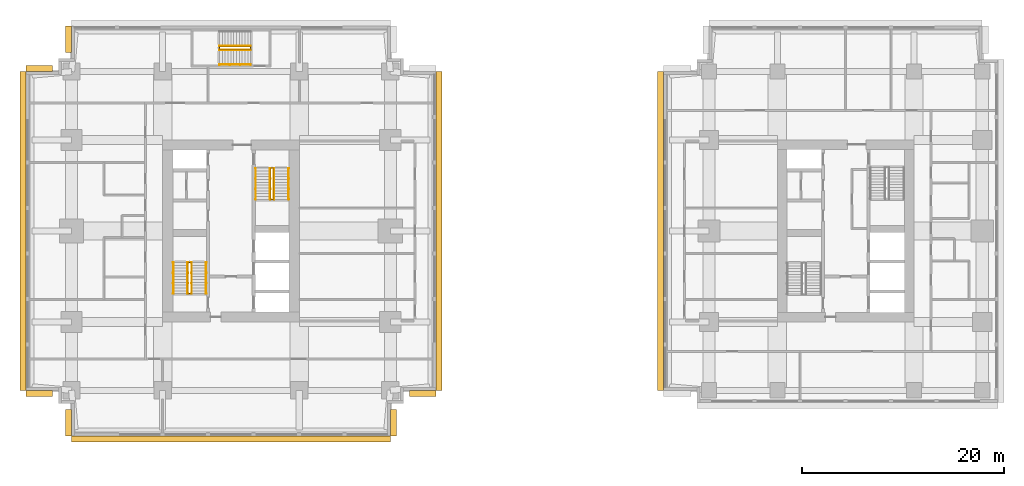
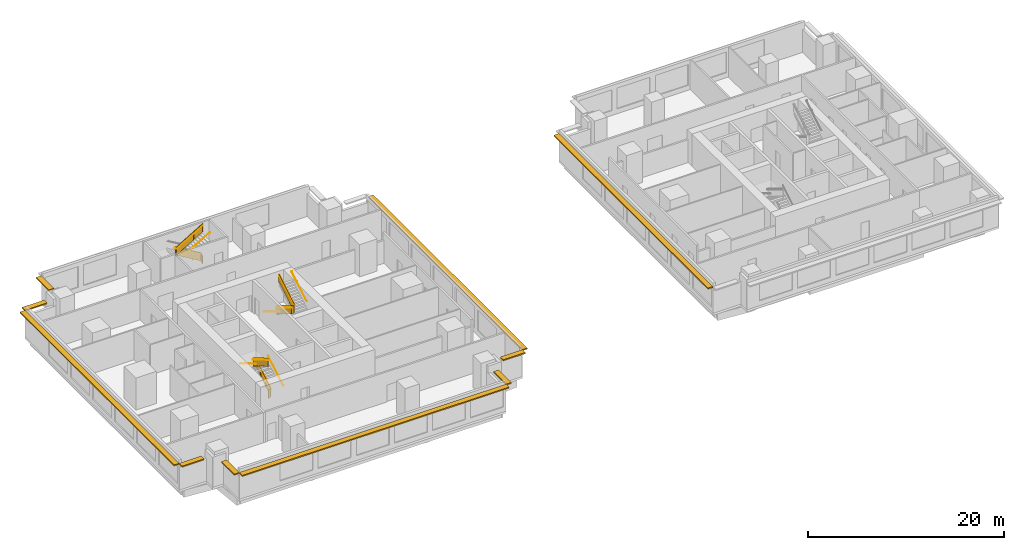
# One storey, part 9 of 10: 14 railings, 10 shading devices.
"""IFC4 building model written with IfcOpenShell, lengths in metres."""

from ifc_helpers import new_model, si_unit, direction, frame, origin, origin_2d, place, context, subcontext, project, spatial, polyline, rectangle, circle, outline, extrude, material, layer, layer_set, type_object, element, save


model = new_model("IFC4")

# Units and contexts
model_context = context("Model", 3, precision=1e-05, world=origin(), true_north=direction((0.0, 1.0)))
body_context = subcontext(model_context, "Body", "Model", "MODEL_VIEW")
ifc_project = project(units=[si_unit("LENGTHUNIT", "METRE"), si_unit("AREAUNIT", "SQUARE_METRE"), si_unit("VOLUMEUNIT", "CUBIC_METRE"), si_unit("PLANEANGLEUNIT", "RADIAN"), si_unit("MASSUNIT", "GRAM", prefix="KILO")], contexts=[model_context])

# Site, building, storey
site_placement = place(None, origin())
site = spatial("IfcSite", under=ifc_project, at=site_placement, CompositionType="ELEMENT")
building_placement = place(site_placement, origin())
building = spatial("IfcBuilding", under=site, at=building_placement, Name="Namib Vertical Campus", CompositionType="ELEMENT")
storey_placement = place(building_placement, frame((0.0, 0.0, 157.0)))
storey = spatial("IfcBuildingStorey", under=building, at=storey_placement, Name="L37", CompositionType="ELEMENT", Elevation=157.0)

# Railings
ifc_material_1 = material(Name="Steel handrail", Category="steel")
railing_type_1 = type_object("IfcRailingType", Name="Handrail 900", PredefinedType="HANDRAIL", material=ifc_material_1)
railing_1_placement = place(storey_placement, frame((17.800048828125, 14.050048828125, 0.166748046875)))
element("IfcRailing", 1, at=railing_1_placement, inside=storey, type_object=railing_type_1, Name="Handrail HR1 A-S1 L37 1", PredefinedType="HANDRAIL", context=body_context, shape_type="SweptSolid", body=[
    extrude(circle(Radius=0.02392578125, at=origin_2d()), frame((0.0, 0.0, 0.8759765625), z_axis=(0.0, 0.859290745958, 0.51148745235), x_axis=(-1.0, 0.0, 0.0)), (0.0, 0.0, 1.0), 3.584228515625),
    extrude(circle(Radius=0.008056640625, at=origin_2d()), frame((0.0, 0.0, 0.8759765625), z_axis=(1.0, 0.0, 0.0), x_axis=(0.0, 0.0, 1.0)), (0.0, 0.0, 1.0), 0.050048828125),
    extrude(circle(Radius=0.008056640625, at=origin_2d()), frame((0.0, 1.026611328125, 1.48681640625), z_axis=(1.0, 0.0, 0.0), x_axis=(0.0, 0.0, 1.0)), (0.0, 0.0, 1.0), 0.050048828125),
    extrude(circle(Radius=0.008056640625, at=origin_2d()), frame((0.0, 2.05322265625, 2.09814453125), z_axis=(1.0, 0.0, 0.0), x_axis=(0.0, 0.0, 1.0)), (0.0, 0.0, 1.0), 0.050048828125),
    extrude(circle(Radius=0.008056640625, at=origin_2d()), frame((0.0, 3.079833984375, 2.708984375), z_axis=(1.0, 0.0, 0.0), x_axis=(0.0, 0.0, 1.0)), (0.0, 0.0, 1.0), 0.050048828125),
])
railing_2_placement = place(storey_placement, frame((14.550048828125, 17.1298828125, 2.166748046875)))
element("IfcRailing", 2, at=railing_2_placement, inside=storey, type_object=railing_type_1, Name="Handrail HR1 A-S1 L37 2", PredefinedType="HANDRAIL", context=body_context, shape_type="SweptSolid", body=[
    extrude(circle(Radius=0.02392578125, at=origin_2d()), frame((0.0, 0.0, 0.8759765625), z_axis=(0.0, -0.859290745958, 0.51148745235), x_axis=(1.0, 0.0, 0.0)), (0.0, 0.0, 1.0), 3.584228515625),
    extrude(circle(Radius=0.008056640625, at=origin_2d()), frame((0.0, 0.0, 0.8759765625), z_axis=(-1.0, 0.0, 0.0), x_axis=(0.0, 0.0, 1.0)), (0.0, 0.0, 1.0), 0.050048828125),
    extrude(circle(Radius=0.008056640625, at=origin_2d()), frame((0.0, -1.026611328125, 1.48681640625), z_axis=(-1.0, 0.0, 0.0), x_axis=(0.0, 0.0, 1.0)), (0.0, 0.0, 1.0), 0.050048828125),
    extrude(circle(Radius=0.008056640625, at=origin_2d()), frame((0.0, -2.05322265625, 2.09814453125), z_axis=(-1.0, 0.0, 0.0), x_axis=(0.0, 0.0, 1.0)), (0.0, 0.0, 1.0), 0.050048828125),
    extrude(circle(Radius=0.008056640625, at=origin_2d()), frame((0.0, -3.079833984375, 2.708984375), z_axis=(-1.0, 0.0, 0.0), x_axis=(0.0, 0.0, 1.0)), (0.0, 0.0, 1.0), 0.050048828125),
])
railing_3_placement = place(storey_placement, frame((16.375, 14.050048828125, 0.166748046875)))
element("IfcRailing", 3, at=railing_3_placement, inside=storey, type_object=railing_type_1, Name="Handrail HR1 A-S1 L37 1 at the well", PredefinedType="HANDRAIL", context=body_context, shape_type="SweptSolid", body=[
    extrude(circle(Radius=0.02392578125, at=origin_2d()), frame((0.0, 0.0, 0.8759765625), z_axis=(0.0, 0.859290745958, 0.51148745235), x_axis=(-1.0, 0.0, 0.0)), (0.0, 0.0, 1.0), 3.584228515625),
    extrude(circle(Radius=0.008056640625, at=origin_2d()), frame((0.0, 0.0, 0.8759765625), z_axis=(-1.0, 0.0, 0.0), x_axis=(0.0, 0.0, 1.0)), (0.0, 0.0, 1.0), 0.0400390625),
    extrude(circle(Radius=0.008056640625, at=origin_2d()), frame((0.0, 1.026611328125, 1.48681640625), z_axis=(-1.0, 0.0, 0.0), x_axis=(0.0, 0.0, 1.0)), (0.0, 0.0, 1.0), 0.0400390625),
    extrude(circle(Radius=0.008056640625, at=origin_2d()), frame((0.0, 2.05322265625, 2.09814453125), z_axis=(-1.0, 0.0, 0.0), x_axis=(0.0, 0.0, 1.0)), (0.0, 0.0, 1.0), 0.0400390625),
    extrude(circle(Radius=0.008056640625, at=origin_2d()), frame((0.0, 3.079833984375, 2.708984375), z_axis=(-1.0, 0.0, 0.0), x_axis=(0.0, 0.0, 1.0)), (0.0, 0.0, 1.0), 0.0400390625),
])
railing_4_placement = place(storey_placement, frame((15.97509765625, 17.1298828125, 2.166748046875)))
element("IfcRailing", 4, at=railing_4_placement, inside=storey, type_object=railing_type_1, Name="Handrail HR1 A-S1 L37 2 at the well", PredefinedType="HANDRAIL", context=body_context, shape_type="SweptSolid", body=[
    extrude(circle(Radius=0.02392578125, at=origin_2d()), frame((0.0, 0.0, 0.8759765625), z_axis=(0.0, -0.859290745958, 0.51148745235), x_axis=(1.0, 0.0, 0.0)), (0.0, 0.0, 1.0), 3.584228515625),
    extrude(circle(Radius=0.008056640625, at=origin_2d()), frame((0.0, 0.0, 0.8759765625), z_axis=(1.0, 0.0, 0.0), x_axis=(0.0, 0.0, 1.0)), (0.0, 0.0, 1.0), 0.0400390625),
    extrude(circle(Radius=0.008056640625, at=origin_2d()), frame((0.0, -1.026611328125, 1.48681640625), z_axis=(1.0, 0.0, 0.0), x_axis=(0.0, 0.0, 1.0)), (0.0, 0.0, 1.0), 0.0400390625),
    extrude(circle(Radius=0.008056640625, at=origin_2d()), frame((0.0, -2.05322265625, 2.09814453125), z_axis=(1.0, 0.0, 0.0), x_axis=(0.0, 0.0, 1.0)), (0.0, 0.0, 1.0), 0.0400390625),
    extrude(circle(Radius=0.008056640625, at=origin_2d()), frame((0.0, -3.079833984375, 2.708984375), z_axis=(1.0, 0.0, 0.0), x_axis=(0.0, 0.0, 1.0)), (0.0, 0.0, 1.0), 0.0400390625),
])
railing_5_placement = place(storey_placement, frame((22.699951171875, 26.449951171875, 0.166748046875)))
element("IfcRailing", 5, at=railing_5_placement, inside=storey, type_object=railing_type_1, Name="Handrail HR1 A-S2 L37 1", PredefinedType="HANDRAIL", context=body_context, shape_type="SweptSolid", body=[
    extrude(circle(Radius=0.02392578125, at=origin_2d()), frame((0.0, 0.0, 0.8759765625), z_axis=(0.0, -0.859290745958, 0.51148745235), x_axis=(1.0, 0.0, 0.0)), (0.0, 0.0, 1.0), 3.584228515625),
    extrude(circle(Radius=0.008056640625, at=origin_2d()), frame((0.0, 0.0, 0.8759765625), z_axis=(-1.0, 0.0, 0.0), x_axis=(0.0, 0.0, 1.0)), (0.0, 0.0, 1.0), 0.050048828125),
    extrude(circle(Radius=0.008056640625, at=origin_2d()), frame((0.0, -1.026611328125, 1.48681640625), z_axis=(-1.0, 0.0, 0.0), x_axis=(0.0, 0.0, 1.0)), (0.0, 0.0, 1.0), 0.050048828125),
    extrude(circle(Radius=0.008056640625, at=origin_2d()), frame((0.0, -2.05322265625, 2.09814453125), z_axis=(-1.0, 0.0, 0.0), x_axis=(0.0, 0.0, 1.0)), (0.0, 0.0, 1.0), 0.050048828125),
    extrude(circle(Radius=0.008056640625, at=origin_2d()), frame((0.0, -3.079833984375, 2.708984375), z_axis=(-1.0, 0.0, 0.0), x_axis=(0.0, 0.0, 1.0)), (0.0, 0.0, 1.0), 0.050048828125),
])
railing_6_placement = place(storey_placement, frame((25.949951171875, 23.3701171875, 2.166748046875)))
element("IfcRailing", 6, at=railing_6_placement, inside=storey, type_object=railing_type_1, Name="Handrail HR1 A-S2 L37 2", PredefinedType="HANDRAIL", context=body_context, shape_type="SweptSolid", body=[
    extrude(circle(Radius=0.02392578125, at=origin_2d()), frame((0.0, 0.0, 0.8759765625), z_axis=(0.0, 0.859290745958, 0.51148745235), x_axis=(-1.0, 0.0, 0.0)), (0.0, 0.0, 1.0), 3.584228515625),
    extrude(circle(Radius=0.008056640625, at=origin_2d()), frame((0.0, 0.0, 0.8759765625), z_axis=(1.0, 0.0, 0.0), x_axis=(0.0, 0.0, 1.0)), (0.0, 0.0, 1.0), 0.050048828125),
    extrude(circle(Radius=0.008056640625, at=origin_2d()), frame((0.0, 1.026611328125, 1.48681640625), z_axis=(1.0, 0.0, 0.0), x_axis=(0.0, 0.0, 1.0)), (0.0, 0.0, 1.0), 0.050048828125),
    extrude(circle(Radius=0.008056640625, at=origin_2d()), frame((0.0, 2.05322265625, 2.09814453125), z_axis=(1.0, 0.0, 0.0), x_axis=(0.0, 0.0, 1.0)), (0.0, 0.0, 1.0), 0.050048828125),
    extrude(circle(Radius=0.008056640625, at=origin_2d()), frame((0.0, 3.079833984375, 2.708984375), z_axis=(1.0, 0.0, 0.0), x_axis=(0.0, 0.0, 1.0)), (0.0, 0.0, 1.0), 0.050048828125),
])
railing_7_placement = place(storey_placement, frame((24.125, 26.449951171875, 0.166748046875)))
element("IfcRailing", 7, at=railing_7_placement, inside=storey, type_object=railing_type_1, Name="Handrail HR1 A-S2 L37 1 at the well", PredefinedType="HANDRAIL", context=body_context, shape_type="SweptSolid", body=[
    extrude(circle(Radius=0.02392578125, at=origin_2d()), frame((0.0, 0.0, 0.8759765625), z_axis=(0.0, -0.859290745958, 0.51148745235), x_axis=(1.0, 0.0, 0.0)), (0.0, 0.0, 1.0), 3.584228515625),
    extrude(circle(Radius=0.008056640625, at=origin_2d()), frame((0.0, 0.0, 0.8759765625), z_axis=(1.0, 0.0, 0.0), x_axis=(0.0, 0.0, 1.0)), (0.0, 0.0, 1.0), 0.0400390625),
    extrude(circle(Radius=0.008056640625, at=origin_2d()), frame((0.0, -1.026611328125, 1.48681640625), z_axis=(1.0, 0.0, 0.0), x_axis=(0.0, 0.0, 1.0)), (0.0, 0.0, 1.0), 0.0400390625),
    extrude(circle(Radius=0.008056640625, at=origin_2d()), frame((0.0, -2.05322265625, 2.09814453125), z_axis=(1.0, 0.0, 0.0), x_axis=(0.0, 0.0, 1.0)), (0.0, 0.0, 1.0), 0.0400390625),
    extrude(circle(Radius=0.008056640625, at=origin_2d()), frame((0.0, -3.079833984375, 2.708984375), z_axis=(1.0, 0.0, 0.0), x_axis=(0.0, 0.0, 1.0)), (0.0, 0.0, 1.0), 0.0400390625),
])
railing_8_placement = place(storey_placement, frame((24.52490234375, 23.3701171875, 2.166748046875)))
element("IfcRailing", 8, at=railing_8_placement, inside=storey, type_object=railing_type_1, Name="Handrail HR1 A-S2 L37 2 at the well", PredefinedType="HANDRAIL", context=body_context, shape_type="SweptSolid", body=[
    extrude(circle(Radius=0.02392578125, at=origin_2d()), frame((0.0, 0.0, 0.8759765625), z_axis=(0.0, 0.859290745958, 0.51148745235), x_axis=(-1.0, 0.0, 0.0)), (0.0, 0.0, 1.0), 3.584228515625),
    extrude(circle(Radius=0.008056640625, at=origin_2d()), frame((0.0, 0.0, 0.8759765625), z_axis=(-1.0, 0.0, 0.0), x_axis=(0.0, 0.0, 1.0)), (0.0, 0.0, 1.0), 0.0400390625),
    extrude(circle(Radius=0.008056640625, at=origin_2d()), frame((0.0, 1.026611328125, 1.48681640625), z_axis=(-1.0, 0.0, 0.0), x_axis=(0.0, 0.0, 1.0)), (0.0, 0.0, 1.0), 0.0400390625),
    extrude(circle(Radius=0.008056640625, at=origin_2d()), frame((0.0, 2.05322265625, 2.09814453125), z_axis=(-1.0, 0.0, 0.0), x_axis=(0.0, 0.0, 1.0)), (0.0, 0.0, 1.0), 0.0400390625),
    extrude(circle(Radius=0.008056640625, at=origin_2d()), frame((0.0, 3.079833984375, 2.708984375), z_axis=(-1.0, 0.0, 0.0), x_axis=(0.0, 0.0, 1.0)), (0.0, 0.0, 1.0), 0.0400390625),
])
railing_9_placement = place(storey_placement, frame((19.1201171875, 36.699951171875, 2.166748046875)))
element("IfcRailing", 9, at=railing_9_placement, inside=storey, type_object=railing_type_1, Name="Handrail HR1 A-S3 L37 2", PredefinedType="HANDRAIL", context=body_context, shape_type="SweptSolid", body=[
    extrude(circle(Radius=0.02392578125, at=origin_2d()), frame((0.0, 0.0, 0.8759765625), z_axis=(0.859290745958, 0.0, 0.51148745235), x_axis=(0.0, 1.0, 0.0)), (0.0, 0.0, 1.0), 3.584228515625),
    extrude(circle(Radius=0.008056640625, at=origin_2d()), frame((0.0, 0.0, 0.8759765625), z_axis=(0.0, -1.0, 0.0), x_axis=(0.0, 0.0, 1.0)), (0.0, 0.0, 1.0), 0.050048828125),
    extrude(circle(Radius=0.008056640625, at=origin_2d()), frame((1.026611328125, 0.0, 1.48681640625), z_axis=(0.0, -1.0, 0.0), x_axis=(0.0, 0.0, 1.0)), (0.0, 0.0, 1.0), 0.050048828125),
    extrude(circle(Radius=0.008056640625, at=origin_2d()), frame((2.05322265625, 0.0, 2.09814453125), z_axis=(0.0, -1.0, 0.0), x_axis=(0.0, 0.0, 1.0)), (0.0, 0.0, 1.0), 0.050048828125),
    extrude(circle(Radius=0.008056640625, at=origin_2d()), frame((3.079833984375, 0.0, 2.708984375), z_axis=(0.0, -1.0, 0.0), x_axis=(0.0, 0.0, 1.0)), (0.0, 0.0, 1.0), 0.050048828125),
])
railing_10_placement = place(storey_placement, frame((22.199951171875, 38.52490234375, 0.166748046875)))
element("IfcRailing", 10, at=railing_10_placement, inside=storey, type_object=railing_type_1, Name="Handrail HR1 A-S3 L37 1 at the well", PredefinedType="HANDRAIL", context=body_context, shape_type="SweptSolid", body=[
    extrude(circle(Radius=0.02392578125, at=origin_2d()), frame((0.0, 0.0, 0.8759765625), z_axis=(-0.859290745958, 0.0, 0.51148745235), x_axis=(0.0, -1.0, 0.0)), (0.0, 0.0, 1.0), 3.584228515625),
    extrude(circle(Radius=0.008056640625, at=origin_2d()), frame((0.0, 0.0, 0.8759765625), z_axis=(0.0, -1.0, 0.0), x_axis=(0.0, 0.0, 1.0)), (0.0, 0.0, 1.0), 0.0400390625),
    extrude(circle(Radius=0.008056640625, at=origin_2d()), frame((-1.026611328125, 0.0, 1.48681640625), z_axis=(0.0, -1.0, 0.0), x_axis=(0.0, 0.0, 1.0)), (0.0, 0.0, 1.0), 0.0400390625),
    extrude(circle(Radius=0.008056640625, at=origin_2d()), frame((-2.05322265625, 0.0, 2.09814453125), z_axis=(0.0, -1.0, 0.0), x_axis=(0.0, 0.0, 1.0)), (0.0, 0.0, 1.0), 0.0400390625),
    extrude(circle(Radius=0.008056640625, at=origin_2d()), frame((-3.079833984375, 0.0, 2.708984375), z_axis=(0.0, -1.0, 0.0), x_axis=(0.0, 0.0, 1.0)), (0.0, 0.0, 1.0), 0.0400390625),
])
railing_11_placement = place(storey_placement, frame((19.1201171875, 38.125, 2.166748046875)))
element("IfcRailing", 11, at=railing_11_placement, inside=storey, type_object=railing_type_1, Name="Handrail HR1 A-S3 L37 2 at the well", PredefinedType="HANDRAIL", context=body_context, shape_type="SweptSolid", body=[
    extrude(circle(Radius=0.02392578125, at=origin_2d()), frame((0.0, 0.0, 0.8759765625), z_axis=(0.859290745958, 0.0, 0.51148745235), x_axis=(0.0, 1.0, 0.0)), (0.0, 0.0, 1.0), 3.584228515625),
    extrude(circle(Radius=0.008056640625, at=origin_2d()), frame((0.0, 0.0, 0.8759765625), z_axis=(0.0, 1.0, 0.0), x_axis=(0.0, 0.0, 1.0)), (0.0, 0.0, 1.0), 0.0400390625),
    extrude(circle(Radius=0.008056640625, at=origin_2d()), frame((1.026611328125, 0.0, 1.48681640625), z_axis=(0.0, 1.0, 0.0), x_axis=(0.0, 0.0, 1.0)), (0.0, 0.0, 1.0), 0.0400390625),
    extrude(circle(Radius=0.008056640625, at=origin_2d()), frame((2.05322265625, 0.0, 2.09814453125), z_axis=(0.0, 1.0, 0.0), x_axis=(0.0, 0.0, 1.0)), (0.0, 0.0, 1.0), 0.0400390625),
    extrude(circle(Radius=0.008056640625, at=origin_2d()), frame((3.079833984375, 0.0, 2.708984375), z_axis=(0.0, 1.0, 0.0), x_axis=(0.0, 0.0, 1.0)), (0.0, 0.0, 1.0), 0.0400390625),
])
ifc_material_2 = material(Name="Steel balustrade", Category="steel")
railing_type_2 = type_object("IfcRailingType", Name="Stair guard 1100", PredefinedType="GUARDRAIL", material=ifc_material_2)
railing_12_placement = place(storey_placement, frame((16.02490234375, 14.050048828125, 0.0)))
element("IfcRailing", 12, at=railing_12_placement, inside=storey, type_object=railing_type_2, Name="Stair guard GR1 A-S1 L37", PredefinedType="GUARDRAIL", context=body_context, shape_type="SweptSolid", body=[
    extrude(circle(Radius=0.02392578125, at=origin_2d()), frame((0.0, 0.0, 1.076171875), z_axis=(1.0, 0.0, 0.0), x_axis=(0.0, 1.0, 0.0)), (0.0, 0.0, 1.0), 0.300048828125),
    extrude(outline(polyline([(0.02099609375, 0.050048828125), (0.279052734375, 0.050048828125), (0.279052734375, 1.052001953125), (0.02099609375, 1.052001953125), (0.02099609375, 0.050048828125)])), frame((0.0, 0.010009765625, 0.0), z_axis=(0.0, -1.0, 0.0), x_axis=(1.0, 0.0, 0.0)), (0.0, 0.0, 1.0), 0.02001953125),
    extrude(circle(Radius=0.02392578125, at=origin_2d()), frame((0.300048828125, 0.0, 1.076171875), z_axis=(0.0, 0.0, 1.0), x_axis=(1.0, 0.0, 0.0)), (0.0, 0.0, 1.0), 0.166748046875),
    extrude(circle(Radius=0.02392578125, at=origin_2d()), frame((0.300048828125, 0.0, 1.24267578125), z_axis=(0.0, 0.859290745958, 0.51148745235), x_axis=(-1.0, 0.0, 0.0)), (0.0, 0.0, 1.0), 3.584228515625),
    extrude(outline(polyline([(0.02099609375, 0.0625), (3.058837890625, 1.870849609375), (3.058837890625, 2.872802734375), (0.02099609375, 1.064453125), (0.02099609375, 0.0625)])), frame((0.2900390625, 0.0, 0.166748046875), z_axis=(1.0, 0.0, 0.0), x_axis=(0.0, 1.0, 0.0)), (0.0, 0.0, 1.0), 0.02001953125),
    extrude(circle(Radius=0.02392578125, at=origin_2d()), frame((0.300048828125, 3.079833984375, 3.076171875), z_axis=(-1.0, 0.0, 0.0), x_axis=(0.0, -1.0, 0.0)), (0.0, 0.0, 1.0), 0.300048828125),
    extrude(outline(polyline([(0.02099609375, 0.050048828125), (0.279052734375, 0.050048828125), (0.279052734375, 1.052001953125), (0.02099609375, 1.052001953125), (0.02099609375, 0.050048828125)])), frame((0.300048828125, 3.06982421875, 2.0), z_axis=(0.0, 1.0, 0.0), x_axis=(-1.0, 0.0, 0.0)), (0.0, 0.0, 1.0), 0.02001953125),
    extrude(circle(Radius=0.02392578125, at=origin_2d()), frame((0.0, 3.079833984375, 3.076171875), z_axis=(0.0, 0.0, 1.0), x_axis=(1.0, 0.0, 0.0)), (0.0, 0.0, 1.0), 0.166748046875),
    extrude(circle(Radius=0.02392578125, at=origin_2d()), frame((0.0, 3.079833984375, 3.24267578125), z_axis=(0.0, -0.859290745958, 0.51148745235), x_axis=(1.0, 0.0, 0.0)), (0.0, 0.0, 1.0), 3.584228515625),
    extrude(outline(polyline([(0.02099609375, 0.0625), (3.058837890625, 1.870849609375), (3.058837890625, 2.872802734375), (0.02099609375, 1.064453125), (0.02099609375, 0.0625)])), frame((0.010009765625, 3.079833984375, 2.166748046875), z_axis=(-1.0, 0.0, 0.0), x_axis=(0.0, -1.0, 0.0)), (0.0, 0.0, 1.0), 0.02001953125),
    extrude(circle(Radius=0.02392578125, at=origin_2d()), frame((0.0, 0.0, 5.076171875), z_axis=(0.0, -1.0, 0.0), x_axis=(1.0, 0.0, 0.0)), (0.0, 0.0, 1.0), 0.050048828125),
    extrude(outline(polyline([(0.02099609375, 0.050048828125), (0.029052734375, 0.050048828125), (0.029052734375, 1.052001953125), (0.02099609375, 1.052001953125), (0.02099609375, 0.050048828125)])), frame((0.010009765625, 0.0, 4.0), z_axis=(-1.0, 0.0, 0.0), x_axis=(0.0, -1.0, 0.0)), (0.0, 0.0, 1.0), 0.02001953125),
    extrude(circle(Radius=0.02099609375, at=origin_2d()), origin(), (0.0, 0.0, 1.0), 1.052001953125),
    extrude(circle(Radius=0.02099609375, at=origin_2d()), frame((0.300048828125, 0.0, 0.166748046875)), (0.0, 0.0, 1.0), 1.052001953125),
    extrude(circle(Radius=0.02099609375, at=origin_2d()), frame((0.300048828125, 1.026611328125, 0.666748046875)), (0.0, 0.0, 1.0), 1.1630859375),
    extrude(circle(Radius=0.02099609375, at=origin_2d()), frame((0.300048828125, 2.05322265625, 1.33349609375)), (0.0, 0.0, 1.0), 1.107421875),
    extrude(circle(Radius=0.02099609375, at=origin_2d()), frame((0.300048828125, 3.079833984375, 2.0)), (0.0, 0.0, 1.0), 1.052001953125),
    extrude(circle(Radius=0.02099609375, at=origin_2d()), frame((0.0, 3.079833984375, 2.166748046875)), (0.0, 0.0, 1.0), 1.052001953125),
    extrude(circle(Radius=0.02099609375, at=origin_2d()), frame((0.0, 2.05322265625, 2.666748046875)), (0.0, 0.0, 1.0), 1.1630859375),
    extrude(circle(Radius=0.02099609375, at=origin_2d()), frame((0.0, 1.026611328125, 3.33349609375)), (0.0, 0.0, 1.0), 1.107421875),
    extrude(circle(Radius=0.02099609375, at=origin_2d()), frame((0.0, 0.0, 4.0)), (0.0, 0.0, 1.0), 1.052001953125),
    extrude(circle(Radius=0.02099609375, at=origin_2d()), frame((0.0, -0.050048828125, 4.0)), (0.0, 0.0, 1.0), 1.052001953125),
])
railing_13_placement = place(storey_placement, frame((24.47509765625, 26.449951171875, 0.0)))
element("IfcRailing", 13, at=railing_13_placement, inside=storey, type_object=railing_type_2, Name="Stair guard GR1 A-S2 L37", PredefinedType="GUARDRAIL", context=body_context, shape_type="SweptSolid", body=[
    extrude(circle(Radius=0.02392578125, at=origin_2d()), frame((0.0, 0.0, 1.076171875), z_axis=(-1.0, 0.0, 0.0), x_axis=(0.0, -1.0, 0.0)), (0.0, 0.0, 1.0), 0.300048828125),
    extrude(outline(polyline([(0.02099609375, 0.050048828125), (0.279052734375, 0.050048828125), (0.279052734375, 1.052001953125), (0.02099609375, 1.052001953125), (0.02099609375, 0.050048828125)])), frame((0.0, -0.010009765625, 0.0), z_axis=(0.0, 1.0, 0.0), x_axis=(-1.0, 0.0, 0.0)), (0.0, 0.0, 1.0), 0.02001953125),
    extrude(circle(Radius=0.02392578125, at=origin_2d()), frame((-0.300048828125, 0.0, 1.076171875), z_axis=(0.0, 0.0, 1.0), x_axis=(1.0, 0.0, 0.0)), (0.0, 0.0, 1.0), 0.166748046875),
    extrude(circle(Radius=0.02392578125, at=origin_2d()), frame((-0.300048828125, 0.0, 1.24267578125), z_axis=(0.0, -0.859290745958, 0.51148745235), x_axis=(1.0, 0.0, 0.0)), (0.0, 0.0, 1.0), 3.584228515625),
    extrude(outline(polyline([(0.02099609375, 0.0625), (3.058837890625, 1.870849609375), (3.058837890625, 2.872802734375), (0.02099609375, 1.064453125), (0.02099609375, 0.0625)])), frame((-0.2900390625, 0.0, 0.166748046875), z_axis=(-1.0, 0.0, 0.0), x_axis=(0.0, -1.0, 0.0)), (0.0, 0.0, 1.0), 0.02001953125),
    extrude(circle(Radius=0.02392578125, at=origin_2d()), frame((-0.300048828125, -3.079833984375, 3.076171875), z_axis=(1.0, 0.0, 0.0), x_axis=(0.0, 1.0, 0.0)), (0.0, 0.0, 1.0), 0.300048828125),
    extrude(outline(polyline([(0.02099609375, 0.050048828125), (0.279052734375, 0.050048828125), (0.279052734375, 1.052001953125), (0.02099609375, 1.052001953125), (0.02099609375, 0.050048828125)])), frame((-0.300048828125, -3.06982421875, 2.0), z_axis=(0.0, -1.0, 0.0), x_axis=(1.0, 0.0, 0.0)), (0.0, 0.0, 1.0), 0.02001953125),
    extrude(circle(Radius=0.02392578125, at=origin_2d()), frame((0.0, -3.079833984375, 3.076171875), z_axis=(0.0, 0.0, 1.0), x_axis=(1.0, 0.0, 0.0)), (0.0, 0.0, 1.0), 0.166748046875),
    extrude(circle(Radius=0.02392578125, at=origin_2d()), frame((0.0, -3.079833984375, 3.24267578125), z_axis=(0.0, 0.859290745958, 0.51148745235), x_axis=(-1.0, 0.0, 0.0)), (0.0, 0.0, 1.0), 3.584228515625),
    extrude(outline(polyline([(0.02099609375, 0.0625), (3.058837890625, 1.870849609375), (3.058837890625, 2.872802734375), (0.02099609375, 1.064453125), (0.02099609375, 0.0625)])), frame((-0.010009765625, -3.079833984375, 2.166748046875), z_axis=(1.0, 0.0, 0.0), x_axis=(0.0, 1.0, 0.0)), (0.0, 0.0, 1.0), 0.02001953125),
    extrude(circle(Radius=0.02392578125, at=origin_2d()), frame((0.0, 0.0, 5.076171875), z_axis=(0.0, 1.0, 0.0), x_axis=(-1.0, 0.0, 0.0)), (0.0, 0.0, 1.0), 0.050048828125),
    extrude(outline(polyline([(0.02099609375, 0.050048828125), (0.029052734375, 0.050048828125), (0.029052734375, 1.052001953125), (0.02099609375, 1.052001953125), (0.02099609375, 0.050048828125)])), frame((-0.010009765625, 0.0, 4.0), z_axis=(1.0, 0.0, 0.0), x_axis=(0.0, 1.0, 0.0)), (0.0, 0.0, 1.0), 0.02001953125),
    extrude(circle(Radius=0.02099609375, at=origin_2d()), origin(), (0.0, 0.0, 1.0), 1.052001953125),
    extrude(circle(Radius=0.02099609375, at=origin_2d()), frame((-0.300048828125, 0.0, 0.166748046875)), (0.0, 0.0, 1.0), 1.052001953125),
    extrude(circle(Radius=0.02099609375, at=origin_2d()), frame((-0.300048828125, -1.026611328125, 0.666748046875)), (0.0, 0.0, 1.0), 1.1630859375),
    extrude(circle(Radius=0.02099609375, at=origin_2d()), frame((-0.300048828125, -2.05322265625, 1.33349609375)), (0.0, 0.0, 1.0), 1.107421875),
    extrude(circle(Radius=0.02099609375, at=origin_2d()), frame((-0.300048828125, -3.079833984375, 2.0)), (0.0, 0.0, 1.0), 1.052001953125),
    extrude(circle(Radius=0.02099609375, at=origin_2d()), frame((0.0, -3.079833984375, 2.166748046875)), (0.0, 0.0, 1.0), 1.052001953125),
    extrude(circle(Radius=0.02099609375, at=origin_2d()), frame((0.0, -2.05322265625, 2.666748046875)), (0.0, 0.0, 1.0), 1.1630859375),
    extrude(circle(Radius=0.02099609375, at=origin_2d()), frame((0.0, -1.026611328125, 3.33349609375)), (0.0, 0.0, 1.0), 1.107421875),
    extrude(circle(Radius=0.02099609375, at=origin_2d()), frame((0.0, 0.0, 4.0)), (0.0, 0.0, 1.0), 1.052001953125),
    extrude(circle(Radius=0.02099609375, at=origin_2d()), frame((0.0, 0.050048828125, 4.0)), (0.0, 0.0, 1.0), 1.052001953125),
])
railing_14_placement = place(storey_placement, frame((22.199951171875, 38.175048828125, 0.0)))
element("IfcRailing", 14, at=railing_14_placement, inside=storey, type_object=railing_type_2, Name="Stair guard GR1 A-S3 L37", PredefinedType="GUARDRAIL", context=body_context, shape_type="SweptSolid", body=[
    extrude(circle(Radius=0.02392578125, at=origin_2d()), frame((0.0, 0.0, 1.076171875), z_axis=(0.0, 1.0, 0.0), x_axis=(-1.0, 0.0, 0.0)), (0.0, 0.0, 1.0), 0.300048828125),
    extrude(outline(polyline([(0.02099609375, 0.050048828125), (0.279052734375, 0.050048828125), (0.279052734375, 1.052001953125), (0.02099609375, 1.052001953125), (0.02099609375, 0.050048828125)])), frame((-0.010009765625, 0.0, 0.0), z_axis=(1.0, 0.0, 0.0), x_axis=(0.0, 1.0, 0.0)), (0.0, 0.0, 1.0), 0.02001953125),
    extrude(circle(Radius=0.02392578125, at=origin_2d()), frame((0.0, 0.300048828125, 1.076171875), z_axis=(0.0, 0.0, 1.0), x_axis=(1.0, 0.0, 0.0)), (0.0, 0.0, 1.0), 0.166748046875),
    extrude(circle(Radius=0.02392578125, at=origin_2d()), frame((0.0, 0.300048828125, 1.24267578125), z_axis=(-0.859290745958, 0.0, 0.51148745235), x_axis=(0.0, -1.0, 0.0)), (0.0, 0.0, 1.0), 3.584228515625),
    extrude(outline(polyline([(0.02099609375, 0.0625), (3.058837890625, 1.870849609375), (3.058837890625, 2.872802734375), (0.02099609375, 1.064453125), (0.02099609375, 0.0625)])), frame((0.0, 0.2900390625, 0.166748046875), z_axis=(0.0, 1.0, 0.0), x_axis=(-1.0, 0.0, 0.0)), (0.0, 0.0, 1.0), 0.02001953125),
    extrude(circle(Radius=0.02392578125, at=origin_2d()), frame((-3.079833984375, 0.300048828125, 3.076171875), z_axis=(0.0, -1.0, 0.0), x_axis=(1.0, 0.0, 0.0)), (0.0, 0.0, 1.0), 0.300048828125),
    extrude(outline(polyline([(0.02099609375, 0.050048828125), (0.279052734375, 0.050048828125), (0.279052734375, 1.052001953125), (0.02099609375, 1.052001953125), (0.02099609375, 0.050048828125)])), frame((-3.06982421875, 0.300048828125, 2.0), z_axis=(-1.0, 0.0, 0.0), x_axis=(0.0, -1.0, 0.0)), (0.0, 0.0, 1.0), 0.02001953125),
    extrude(circle(Radius=0.02392578125, at=origin_2d()), frame((-3.079833984375, 0.0, 3.076171875), z_axis=(0.0, 0.0, 1.0), x_axis=(1.0, 0.0, 0.0)), (0.0, 0.0, 1.0), 0.166748046875),
    extrude(circle(Radius=0.02392578125, at=origin_2d()), frame((-3.079833984375, 0.0, 3.24267578125), z_axis=(0.859290745958, 0.0, 0.51148745235), x_axis=(0.0, 1.0, 0.0)), (0.0, 0.0, 1.0), 3.584228515625),
    extrude(outline(polyline([(0.02099609375, 0.0625), (3.058837890625, 1.870849609375), (3.058837890625, 2.872802734375), (0.02099609375, 1.064453125), (0.02099609375, 0.0625)])), frame((-3.079833984375, 0.010009765625, 2.166748046875), z_axis=(0.0, -1.0, 0.0), x_axis=(1.0, 0.0, 0.0)), (0.0, 0.0, 1.0), 0.02001953125),
    extrude(circle(Radius=0.02392578125, at=origin_2d()), frame((0.0, 0.0, 5.076171875), z_axis=(1.0, 0.0, 0.0), x_axis=(0.0, 1.0, 0.0)), (0.0, 0.0, 1.0), 0.050048828125),
    extrude(outline(polyline([(0.02099609375, 0.050048828125), (0.029052734375, 0.050048828125), (0.029052734375, 1.052001953125), (0.02099609375, 1.052001953125), (0.02099609375, 0.050048828125)])), frame((0.0, 0.010009765625, 4.0), z_axis=(0.0, -1.0, 0.0), x_axis=(1.0, 0.0, 0.0)), (0.0, 0.0, 1.0), 0.02001953125),
    extrude(circle(Radius=0.02099609375, at=origin_2d()), origin(), (0.0, 0.0, 1.0), 1.052001953125),
    extrude(circle(Radius=0.02099609375, at=origin_2d()), frame((0.0, 0.300048828125, 0.166748046875)), (0.0, 0.0, 1.0), 1.052001953125),
    extrude(circle(Radius=0.02099609375, at=origin_2d()), frame((-1.026611328125, 0.300048828125, 0.666748046875)), (0.0, 0.0, 1.0), 1.1630859375),
    extrude(circle(Radius=0.02099609375, at=origin_2d()), frame((-2.05322265625, 0.300048828125, 1.33349609375)), (0.0, 0.0, 1.0), 1.107421875),
    extrude(circle(Radius=0.02099609375, at=origin_2d()), frame((-3.079833984375, 0.300048828125, 2.0)), (0.0, 0.0, 1.0), 1.052001953125),
    extrude(circle(Radius=0.02099609375, at=origin_2d()), frame((-3.079833984375, 0.0, 2.166748046875)), (0.0, 0.0, 1.0), 1.052001953125),
    extrude(circle(Radius=0.02099609375, at=origin_2d()), frame((-2.05322265625, 0.0, 2.666748046875)), (0.0, 0.0, 1.0), 1.1630859375),
    extrude(circle(Radius=0.02099609375, at=origin_2d()), frame((-1.026611328125, 0.0, 3.33349609375)), (0.0, 0.0, 1.0), 1.107421875),
    extrude(circle(Radius=0.02099609375, at=origin_2d()), frame((0.0, 0.0, 4.0)), (0.0, 0.0, 1.0), 1.052001953125),
    extrude(circle(Radius=0.02099609375, at=origin_2d()), frame((0.050048828125, 0.0, 4.0)), (0.0, 0.0, 1.0), 1.052001953125),
])

# Shading devices
ifc_material_3 = material(Name="Concrete C40/50 precast", Category="concrete")
ifc_layer = layer(ifc_material_3, 0.14990234375)
ifc_layer_set = layer_set([ifc_layer], Name="Concrete C40/50 precast")
shading_device_type = type_object("IfcShadingDeviceType", Name="Sunshade hood 600", PredefinedType="SHUTTER", material=ifc_layer_set)
shading_device_1_placement = place(storey_placement, frame((20.25, -0.300048828125, 3.199951171875), z_axis=(0.0, 0.0, 1.0), x_axis=(1.0, 0.0, 0.0)))
element("IfcShadingDevice", 15, at=shading_device_1_placement, inside=storey, type_object=shading_device_type, Name="Sunshade SH3 L37 1", PredefinedType="SHUTTER", context=body_context, shape_type="SweptSolid", body=[
    extrude(rectangle(XDim=31.5, YDim=0.60009765625, at=origin_2d()), origin(), (0.0, 0.0, 1.0), 0.14990234375),
])
for number, where, z_axis, x_axis, name in (
    (16, (36.300048828125, 1.300048828125, 3.199951171875), (0.0, 0.0, 1.0), (0.0, 1.0, 0.0), "Sunshade SH3 L37 2"),
    (17, (39.199951171875, 4.199951171875, 3.199951171875), (0.0, 0.0, 1.0), (1.0, 0.0, 0.0), "Sunshade SH3 L37 5"),
):
    element("IfcShadingDevice", number, at=place(storey_placement, frame(where, z_axis=z_axis, x_axis=x_axis)), inside=storey, type_object=shading_device_type, Name=name, PredefinedType="SHUTTER", context=body_context, shape_type="SweptSolid", body=[
        extrude(rectangle(XDim=2.60009765625, YDim=0.60009765625, at=origin_2d()), origin(), (0.0, 0.0, 1.0), 0.14990234375),
    ])
shading_device_2_placement = place(storey_placement, frame((40.800048828125, 20.25, 3.199951171875), z_axis=(0.0, 0.0, 1.0), x_axis=(0.0, 1.0, 0.0)))
element("IfcShadingDevice", 18, at=shading_device_2_placement, inside=storey, type_object=shading_device_type, Name="Sunshade SH3 L37 6", PredefinedType="SHUTTER", context=body_context, shape_type="SweptSolid", body=[
    extrude(rectangle(XDim=31.5, YDim=0.60009765625, at=origin_2d()), origin(), (0.0, 0.0, 1.0), 0.14990234375),
])
for number, where, z_axis, x_axis, name in (
    (19, (4.199951171875, 39.199951171875, 3.199951171875), (0.0, 0.0, 1.0), (0.0, -1.0, 0.0), "Sunshade SH3 L37 12"),
    (20, (1.300048828125, 36.300048828125, 3.199951171875), (0.0, 0.0, 1.0), (-1.0, 0.0, 0.0), "Sunshade SH3 L37 15"),
):
    element("IfcShadingDevice", number, at=place(storey_placement, frame(where, z_axis=z_axis, x_axis=x_axis)), inside=storey, type_object=shading_device_type, Name=name, PredefinedType="SHUTTER", context=body_context, shape_type="SweptSolid", body=[
        extrude(rectangle(XDim=2.60009765625, YDim=0.60009765625, at=origin_2d()), origin(), (0.0, 0.0, 1.0), 0.14990234375),
    ])
shading_device_3_placement = place(storey_placement, frame((-0.300048828125, 20.25, 3.199951171875), z_axis=(0.0, 0.0, 1.0), x_axis=(0.0, -1.0, 0.0)))
element("IfcShadingDevice", 21, at=shading_device_3_placement, inside=storey, type_object=shading_device_type, Name="Sunshade SH3 L37 16", PredefinedType="SHUTTER", context=body_context, shape_type="SweptSolid", body=[
    extrude(rectangle(XDim=31.5, YDim=0.60009765625, at=origin_2d()), origin(), (0.0, 0.0, 1.0), 0.14990234375),
])
for number, where, z_axis, x_axis, name in (
    (22, (1.300048828125, 4.199951171875, 3.199951171875), (0.0, 0.0, 1.0), (1.0, 0.0, 0.0), "Sunshade SH3 L37 17"),
    (23, (4.199951171875, 1.300048828125, 3.199951171875), (0.0, 0.0, 1.0), (0.0, -1.0, 0.0), "Sunshade SH3 L37 20"),
):
    element("IfcShadingDevice", number, at=place(storey_placement, frame(where, z_axis=z_axis, x_axis=x_axis)), inside=storey, type_object=shading_device_type, Name=name, PredefinedType="SHUTTER", context=body_context, shape_type="SweptSolid", body=[
        extrude(rectangle(XDim=2.60009765625, YDim=0.60009765625, at=origin_2d()), origin(), (0.0, 0.0, 1.0), 0.14990234375),
    ])
shading_device_4_placement = place(storey_placement, frame((62.699951171875, 20.25, 3.199951171875), z_axis=(0.0, 0.0, 1.0), x_axis=(0.0, -1.0, 0.0)))
element("IfcShadingDevice", 24, at=shading_device_4_placement, inside=storey, type_object=shading_device_type, Name="Sunshade SH3 L37 12", PredefinedType="SHUTTER", context=body_context, shape_type="SweptSolid", body=[
    extrude(rectangle(XDim=31.5, YDim=0.60009765625, at=origin_2d()), origin(), (0.0, 0.0, 1.0), 0.14990234375),
])

save(model, "model.ifc")
